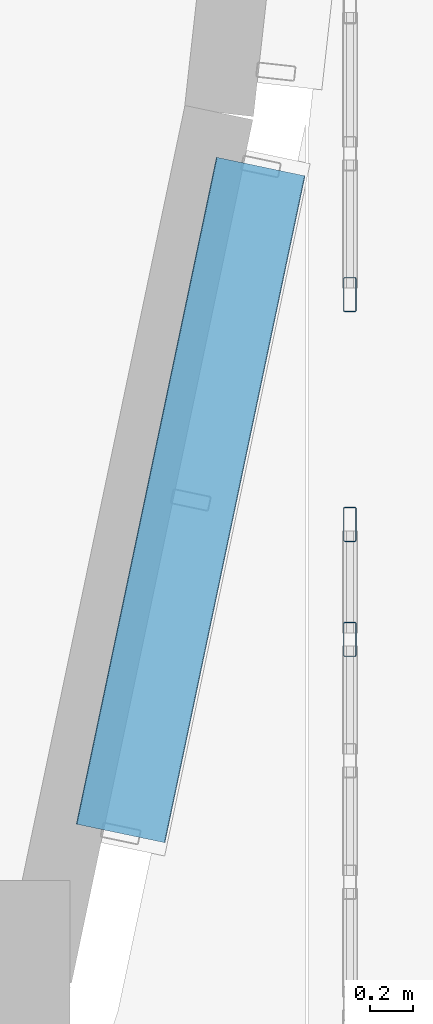
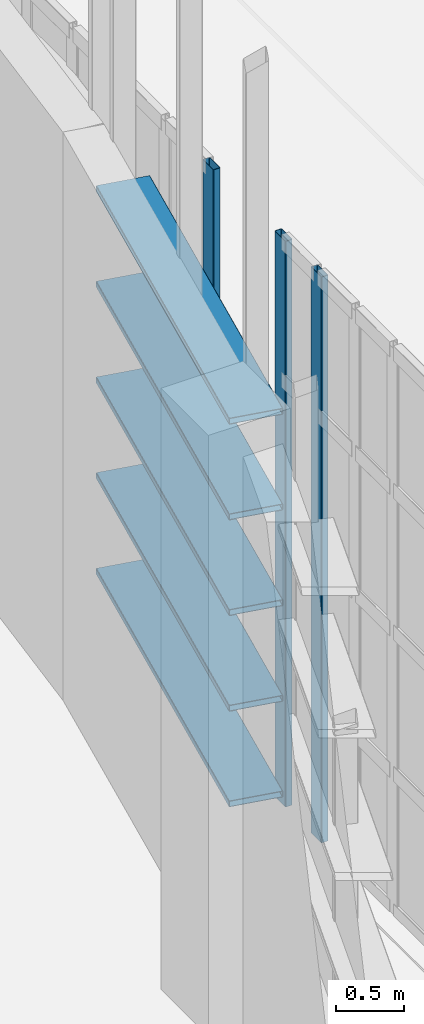
# One storey, part 276 of 372: 8 members, 2 elements without a shape of their own.
"""IFC4 building model written with IfcOpenShell, lengths in metres."""

from ifc_helpers import new_model, si_unit, direction, frame, origin, origin_2d, place, context, subcontext, project, spatial, hollow_rectangle, extrude, material, material_profile, profile_set, type_object, element, aggregate, save


model = new_model("IFC4")

# Units and contexts
model_context = context("Model", 3, precision=1e-05, world=origin(), true_north=direction((0.0, 1.0)))
body_context = subcontext(model_context, "Body", "Model", "MODEL_VIEW")
ifc_project = project(units=[si_unit("LENGTHUNIT", "METRE"), si_unit("AREAUNIT", "SQUARE_METRE"), si_unit("VOLUMEUNIT", "CUBIC_METRE"), si_unit("PLANEANGLEUNIT", "RADIAN"), si_unit("MASSUNIT", "GRAM", prefix="KILO")], contexts=[model_context])

# Site, building, storey
site_placement = place(None, origin())
site = spatial("IfcSite", under=ifc_project, at=site_placement, CompositionType="ELEMENT")
building_placement = place(site_placement, origin())
building = spatial("IfcBuilding", under=site, at=building_placement, Name="Kaelora Sail Theatre", CompositionType="ELEMENT")
storey_placement = place(building_placement, origin())
storey = spatial("IfcBuildingStorey", under=building, at=storey_placement, Name="L00", CompositionType="ELEMENT", Elevation=0.0)

# Members
ifc_material_1 = material(Name="Anodised aluminium 6063-T6", Category="aluminium")
ifc_material_profile_1 = material_profile(ifc_material_1, hollow_rectangle(XDim=0.419921875, YDim=0.054931640625, WallThickness=0.00390625, InnerFilletRadius=0.00390625, OuterFilletRadius=0.008056640625, at=origin_2d()), Name="LOUVRE 420x55x4")
ifc_profile_set_1 = profile_set([ifc_material_profile_1], Name="Anodised aluminium 6063-T6")
member_type_1 = type_object("IfcMemberType", Name="ARC-MEM-LVR-420", PredefinedType="USERDEFINED", material=ifc_profile_set_1)
for number, where, z_axis, x_axis, name in (
    (1, (147.0791015625, 39.82080078125, 1.25), (-0.205650376649, -0.978625527249, 0.0), (0.978625527249, -0.205650376649, 0.0), "Black-Box and Experimental Sail Wing horizontal solar louvre C4-01"),
    (2, (147.0791015625, 39.82080078125, 2.110107421875), (-0.205650376649, -0.978625527249, 0.0), (0.978625527249, -0.205650376649, 0.0), "Black-Box and Experimental Sail Wing horizontal solar louvre C4-02"),
    (3, (147.0791015625, 39.82080078125, 2.969970703125), (-0.205650376649, -0.978625527249, 0.0), (0.978625527249, -0.205650376649, 0.0), "Black-Box and Experimental Sail Wing horizontal solar louvre C4-03"),
    (4, (147.0791015625, 39.82080078125, 3.830078125), (-0.205650376649, -0.978625527249, 0.0), (0.978625527249, -0.205650376649, 0.0), "Black-Box and Experimental Sail Wing horizontal solar louvre C4-04"),
    (5, (147.0791015625, 39.82080078125, 4.68994140625), (-0.205650376649, -0.978625527249, 0.0), (0.978625527249, -0.205650376649, 0.0), "Black-Box and Experimental Sail Wing horizontal solar louvre C4-05"),
):
    element("IfcMember", number, at=place(storey_placement, frame(where, z_axis=z_axis, x_axis=x_axis)), inside=storey, type_object=member_type_1, Name=name, ObjectType="LOUVRE", PredefinedType="USERDEFINED", context=body_context, shape_type="SweptSolid", body=[
        extrude(hollow_rectangle(XDim=0.419921875, YDim=0.054931640625, WallThickness=0.00390625, InnerFilletRadius=0.00390625, OuterFilletRadius=0.008056640625, at=origin_2d()), origin(), (0.0, 0.0, 1.0), 3.1435546875),
    ])

# Curtain wall, members
ifc_material_2 = material(Name="Anodised aluminium and solar-control low-E IGU", Category="aluminium")
curtain_wall_type = type_object("IfcCurtainWallType", Name="ARC-CW-CW-FOY2", PredefinedType="NOTDEFINED", material=ifc_material_2)
curtain_wall_1_placement = place(storey_placement, origin())
curtain_wall_1 = element("IfcCurtainWall", 6, at=curtain_wall_1_placement, inside=storey, type_object=curtain_wall_type, Name="Glazed Colonnade/Courtyard Curtain Wall COLE-W-L00-02", PredefinedType="NOTDEFINED")
ifc_material_3 = material(Name="Anodised aluminium 6063-T6", Category="aluminium")
ifc_material_profile_2 = material_profile(ifc_material_3, hollow_rectangle(XDim=0.06005859375, YDim=0.159912109375, WallThickness=0.00390625, InnerFilletRadius=0.00390625, OuterFilletRadius=0.008056640625, at=origin_2d()), Name="ALU-MULL 60x160x4")
ifc_profile_set_2 = profile_set([ifc_material_profile_2], Name="Anodised aluminium 6063-T6")
member_type_2 = type_object("IfcMemberType", Name="ARC-MEM-ML-160", PredefinedType="MULLION", material=ifc_profile_set_2)
member_1_placement = place(storey_placement, frame((147.489990234375, 37.639892578125, 0.0), z_axis=(0.0, 0.0, 1.0), x_axis=(-1.0, 0.0, 0.0)))
member_1 = element("IfcMember", 7, at=member_1_placement, type_object=member_type_2, Name="CW-FOY2 mullion 5", PredefinedType="MULLION", context=body_context, shape_type="SweptSolid", body=[
    extrude(hollow_rectangle(XDim=0.06005859375, YDim=0.159912109375, WallThickness=0.00390625, InnerFilletRadius=0.00390625, OuterFilletRadius=0.008056640625, at=origin_2d()), origin(), (0.0, 0.0, 1.0), 5.0849609375),
])
member_2_placement = place(storey_placement, frame((147.489990234375, 38.169921875, 0.0), z_axis=(0.0, 0.0, 1.0), x_axis=(-1.0, 0.0, 0.0)))
member_2 = element("IfcMember", 8, at=member_2_placement, type_object=member_type_2, Name="CW-FOY2 mullion 6", PredefinedType="MULLION", context=body_context, shape_type="SweptSolid", body=[
    extrude(hollow_rectangle(XDim=0.06005859375, YDim=0.159912109375, WallThickness=0.00390625, InnerFilletRadius=0.00390625, OuterFilletRadius=0.008056640625, at=origin_2d()), origin(), (0.0, 0.0, 1.0), 5.0849609375),
])
aggregate(curtain_wall_1, [member_1, member_2])

# Curtain wall, member
curtain_wall_2_placement = place(storey_placement, origin())
curtain_wall_2 = element("IfcCurtainWall", 9, at=curtain_wall_2_placement, inside=storey, type_object=curtain_wall_type, Name="Glazed Colonnade/Courtyard Curtain Wall COLE-W-L00-03", PredefinedType="NOTDEFINED")
member_3_placement = place(storey_placement, frame((147.489990234375, 39.22998046875, 0.0), z_axis=(0.0, 0.0, 1.0), x_axis=(-1.0, 0.0, 0.0)))
member_3 = element("IfcMember", 10, at=member_3_placement, type_object=member_type_2, Name="CW-FOY2 mullion 1", PredefinedType="MULLION", context=body_context, shape_type="SweptSolid", body=[
    extrude(hollow_rectangle(XDim=0.06005859375, YDim=0.159912109375, WallThickness=0.00390625, InnerFilletRadius=0.00390625, OuterFilletRadius=0.008056640625, at=origin_2d()), origin(), (0.0, 0.0, 1.0), 5.0849609375),
])
aggregate(curtain_wall_2, [member_3])

save(model, "model.ifc")
